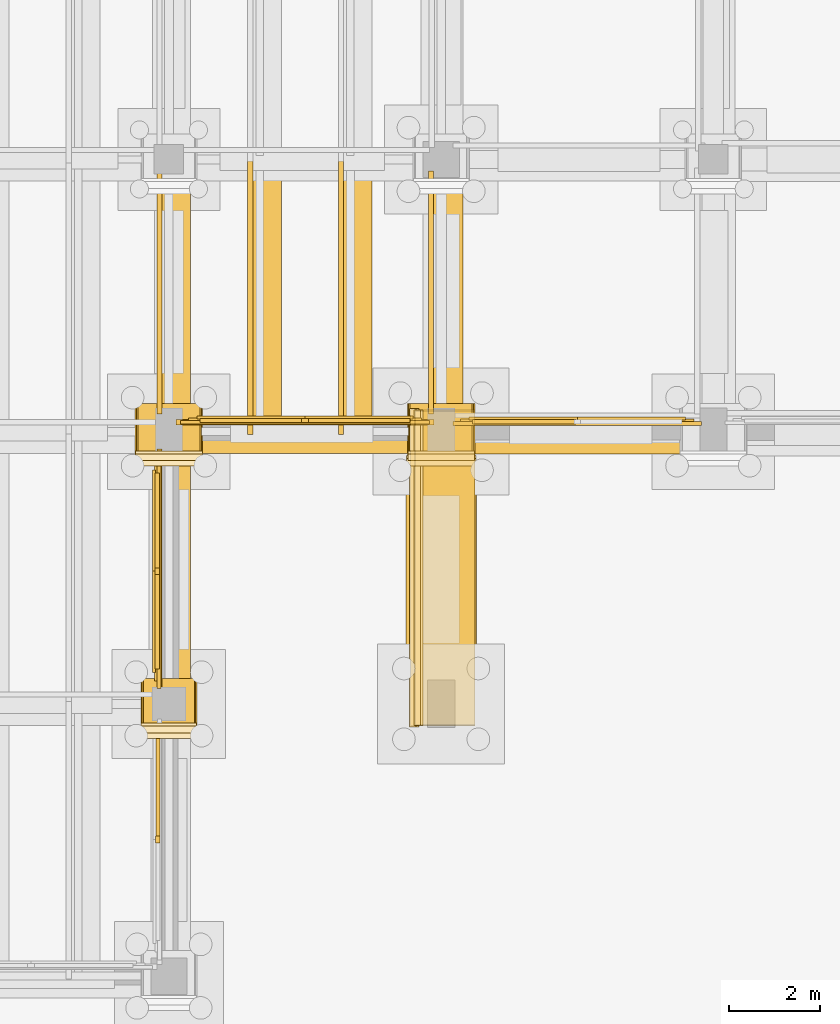
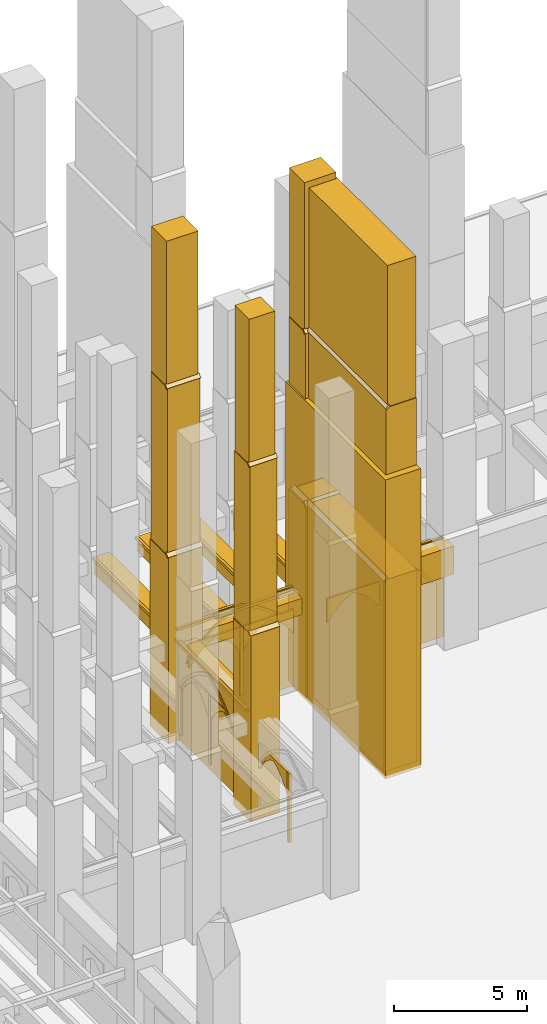
# One storey, part 111 of 135: 52 coverings.
"""IFC4 building model written with IfcOpenShell, lengths in metres."""

from ifc_helpers import new_model, si_unit, direction, frame, origin, origin_2d, place, context, subcontext, project, spatial, polyline, rectangle, outline, extrude, material, type_object, element, save


model = new_model("IFC4")

# Units and contexts
model_context = context("Model", 3, precision=1e-05, world=origin(), true_north=direction((0.0, 1.0)))
body_context = subcontext(model_context, "Body", "Model", "MODEL_VIEW")
ifc_project = project(units=[si_unit("LENGTHUNIT", "METRE"), si_unit("AREAUNIT", "SQUARE_METRE"), si_unit("VOLUMEUNIT", "CUBIC_METRE"), si_unit("PLANEANGLEUNIT", "RADIAN"), si_unit("MASSUNIT", "GRAM", prefix="KILO")], contexts=[model_context])

# Site, building, storey
site_placement = place(None, origin())
site = spatial("IfcSite", under=ifc_project, at=site_placement, CompositionType="ELEMENT")
building_placement = place(site_placement, origin())
building = spatial("IfcBuilding", under=site, at=building_placement, Name="Cumevento Cable Car Station", CompositionType="ELEMENT")
storey_placement = place(building_placement, origin())
storey = spatial("IfcBuildingStorey", under=building, at=storey_placement, Name="L01", CompositionType="ELEMENT", Elevation=0.0)

# Coverings
ifc_material = material(Name="Gnaisse Facoidal Stone Ashlar 85 MPa", Category="masonry")
covering_type = type_object("IfcCoveringType", Name="Gnaisse Ashlar Cladding CV-CL01", PredefinedType="CLADDING", material=ifc_material)
covering_1_placement = place(storey_placement, frame((82.0, 38.909912109375, -0.06005859375), z_axis=(0.0, 0.0, 1.0), x_axis=(1.0, 0.0, 0.0)))
element("IfcCovering", 1, at=covering_1_placement, inside=storey, type_object=covering_type, Name="Stepped Gothic Stone Buttress Tier 1 bt:82.0:39.0", PredefinedType="CLADDING", context=body_context, shape_type="SweptSolid", body=[
    extrude(rectangle(XDim=1.239990234375, YDim=1.300048828125, at=origin_2d()), origin(), (0.0, 0.0, 1.0), 8.595703125),
])
covering_2_placement = place(storey_placement, frame((81.360107421875, 38.239990234375, 8.515625), z_axis=(0.0, -0.711135781079, 0.703054692658), x_axis=(1.0, 0.0, 0.0)))
element("IfcCovering", 2, at=covering_2_placement, inside=storey, type_object=covering_type, Name="Gothic Buttress Sloped Stone Weathering 1 bt:82.0:39.0", PredefinedType="CLADDING", context=body_context, shape_type="SweptSolid", body=[
    extrude(outline(polyline([(0.0, 0.0), (1.27978515625, 0.0), (1.27978515625, 0.24169083397703695), (0.0, 0.24169083397703695), (0.0, 0.0)])), origin(), (0.0, 0.0, -1.0), 0.090087890625),
])
covering_3_placement = place(storey_placement, frame((82.0, 38.969970703125, 8.0830078125), z_axis=(0.0, 0.0, 1.0), x_axis=(1.0, 0.0, 0.0)))
element("IfcCovering", 3, at=covering_3_placement, inside=storey, type_object=covering_type, Name="Stepped Gothic Stone Buttress Tier 2 bt:82.0:39.0", PredefinedType="CLADDING", context=body_context, shape_type="SweptSolid", body=[
    extrude(rectangle(XDim=1.179931640625, YDim=1.179931640625, at=origin_2d()), origin(), (0.0, 0.0, 1.0), 8.143310546875),
])
covering_4_placement = place(storey_placement, frame((81.389892578125, 38.360107421875, 16.206298828125), z_axis=(0.0, -0.714474823669, 0.699661151089), x_axis=(1.0, 0.0, 0.0)))
element("IfcCovering", 4, at=covering_4_placement, inside=storey, type_object=covering_type, Name="Gothic Buttress Sloped Stone Weathering 2 bt:82.0:39.0", PredefinedType="CLADDING", context=body_context, shape_type="SweptSolid", body=[
    extrude(outline(polyline([(0.0, 0.0), (1.22021484375, 0.0), (1.22021484375, 0.21424991728737655), (0.0, 0.21424991728737655), (0.0, 0.0)])), origin(), (0.0, 0.0, -1.0), 0.090087890625),
])
covering_5_placement = place(storey_placement, frame((82.0, 39.02001953125, 15.77392578125), z_axis=(0.0, 0.0, 1.0), x_axis=(1.0, 0.0, 0.0)))
element("IfcCovering", 5, at=covering_5_placement, inside=storey, type_object=covering_type, Name="Stepped Gothic Stone Buttress Tier 3 bt:82.0:39.0", PredefinedType="CLADDING", context=body_context, shape_type="SweptSolid", body=[
    extrude(rectangle(XDim=1.1201171875, YDim=1.080078125, at=origin_2d()), origin(), (0.0, 0.0, 1.0), 7.1259765625),
])
covering_6_placement = place(storey_placement, frame((82.0, 44.9423828125, -0.06005859375), z_axis=(0.0, 0.0, 1.0), x_axis=(1.0, 0.0, 0.0)))
element("IfcCovering", 6, at=covering_6_placement, inside=storey, type_object=covering_type, Name="Stepped Gothic Stone Buttress Tier 1 bt:82.0:45.0", PredefinedType="CLADDING", context=body_context, shape_type="SweptSolid", body=[
    extrude(rectangle(XDim=1.489990234375, YDim=1.364990234375, at=origin_2d()), origin(), (0.0, 0.0, 1.0), 8.595703125),
])
covering_7_placement = place(storey_placement, frame((81.235107421875, 44.239990234375, 8.515625), z_axis=(0.0, -0.711135781079, 0.703054692658), x_axis=(1.0, 0.0, 0.0)))
element("IfcCovering", 7, at=covering_7_placement, inside=storey, type_object=covering_type, Name="Gothic Buttress Sloped Stone Weathering 1 bt:82.0:45.0", PredefinedType="CLADDING", context=body_context, shape_type="SweptSolid", body=[
    extrude(outline(polyline([(0.0, 0.0), (1.52978515625, 0.0), (1.52978515625, 0.24169083397703695), (0.0, 0.24169083397703695), (0.0, 0.0)])), origin(), (0.0, 0.0, -1.0), 0.090087890625),
])
covering_8_placement = place(storey_placement, frame((82.0, 45.00244140625, 8.0830078125), z_axis=(0.0, 0.0, 1.0), x_axis=(1.0, 0.0, 0.0)))
element("IfcCovering", 8, at=covering_8_placement, inside=storey, type_object=covering_type, Name="Stepped Gothic Stone Buttress Tier 2 bt:82.0:45.0", PredefinedType="CLADDING", context=body_context, shape_type="SweptSolid", body=[
    extrude(rectangle(XDim=1.429931640625, YDim=1.2451171875, at=origin_2d()), origin(), (0.0, 0.0, 1.0), 8.143310546875),
])
covering_9_placement = place(storey_placement, frame((81.264892578125, 44.360107421875, 16.206298828125), z_axis=(0.0, -0.714474823669, 0.699661151089), x_axis=(1.0, 0.0, 0.0)))
element("IfcCovering", 9, at=covering_9_placement, inside=storey, type_object=covering_type, Name="Gothic Buttress Sloped Stone Weathering 2 bt:82.0:45.0", PredefinedType="CLADDING", context=body_context, shape_type="SweptSolid", body=[
    extrude(outline(polyline([(0.0, 0.0), (1.47021484375, 0.0), (1.47021484375, 0.21424991728737658), (0.0, 0.21424991728737658), (0.0, 0.0)])), origin(), (0.0, 0.0, -1.0), 0.090087890625),
])
covering_10_placement = place(storey_placement, frame((82.0, 45.052490234375, 15.77392578125), z_axis=(0.0, 0.0, 1.0), x_axis=(1.0, 0.0, 0.0)))
element("IfcCovering", 10, at=covering_10_placement, inside=storey, type_object=covering_type, Name="Stepped Gothic Stone Buttress Tier 3 bt:82.0:45.0", PredefinedType="CLADDING", context=body_context, shape_type="SweptSolid", body=[
    extrude(rectangle(XDim=1.3701171875, YDim=1.14501953125, at=origin_2d()), origin(), (0.0, 0.0, 1.0), 7.1259765625),
])
covering_11_placement = place(storey_placement, frame((88.0, 44.9423828125, -0.06005859375), z_axis=(0.0, 0.0, 1.0), x_axis=(1.0, 0.0, 0.0)))
element("IfcCovering", 11, at=covering_11_placement, inside=storey, type_object=covering_type, Name="Stepped Gothic Stone Buttress Tier 1 bt:88.0:45.0", PredefinedType="CLADDING", context=body_context, shape_type="SweptSolid", body=[
    extrude(rectangle(XDim=1.489990234375, YDim=1.364990234375, at=origin_2d()), origin(), (0.0, 0.0, 1.0), 8.823486328125),
])
covering_12_placement = place(storey_placement, frame((87.235107421875, 44.239990234375, 8.74365234375), z_axis=(0.0, -0.711135781079, 0.703054692658), x_axis=(1.0, 0.0, 0.0)))
element("IfcCovering", 12, at=covering_12_placement, inside=storey, type_object=covering_type, Name="Gothic Buttress Sloped Stone Weathering 1 bt:88.0:45.0", PredefinedType="CLADDING", context=body_context, shape_type="SweptSolid", body=[
    extrude(outline(polyline([(0.0, 0.0), (1.52978515625, 0.0), (1.52978515625, 0.24169083397703695), (0.0, 0.24169083397703695), (0.0, 0.0)])), origin(), (0.0, 0.0, -1.0), 0.090087890625),
])
covering_13_placement = place(storey_placement, frame((88.0, 45.00244140625, 8.29931640625), z_axis=(0.0, 0.0, 1.0), x_axis=(1.0, 0.0, 0.0)))
element("IfcCovering", 13, at=covering_13_placement, inside=storey, type_object=covering_type, Name="Stepped Gothic Stone Buttress Tier 2 bt:88.0:45.0", PredefinedType="CLADDING", context=body_context, shape_type="SweptSolid", body=[
    extrude(rectangle(XDim=1.429931640625, YDim=1.2451171875, at=origin_2d()), origin(), (0.0, 0.0, 1.0), 8.359130859375),
])
covering_14_placement = place(storey_placement, frame((87.264892578125, 44.360107421875, 16.638427734375), z_axis=(0.0, -0.714474823669, 0.699661151089), x_axis=(1.0, 0.0, 0.0)))
element("IfcCovering", 14, at=covering_14_placement, inside=storey, type_object=covering_type, Name="Gothic Buttress Sloped Stone Weathering 2 bt:88.0:45.0", PredefinedType="CLADDING", context=body_context, shape_type="SweptSolid", body=[
    extrude(outline(polyline([(0.0, 0.0), (1.47021484375, 0.0), (1.47021484375, 0.21424991728737658), (0.0, 0.21424991728737658), (0.0, 0.0)])), origin(), (0.0, 0.0, -1.0), 0.090087890625),
])
covering_15_placement = place(storey_placement, frame((88.0, 45.052490234375, 16.19384765625), z_axis=(0.0, 0.0, 1.0), x_axis=(1.0, 0.0, 0.0)))
element("IfcCovering", 15, at=covering_15_placement, inside=storey, type_object=covering_type, Name="Stepped Gothic Stone Buttress Tier 3 bt:88.0:45.0", PredefinedType="CLADDING", context=body_context, shape_type="SweptSolid", body=[
    extrude(rectangle(XDim=1.3701171875, YDim=1.14501953125, at=origin_2d()), origin(), (0.0, 0.0, 1.0), 7.305908203125),
])
covering_16_placement = place(storey_placement, frame((82.14990234375, 41.925048828125, 3.64306640625), z_axis=(0.0, 0.0, 1.0), x_axis=(0.0, 1.0, 0.0)))
element("IfcCovering", 16, at=covering_16_placement, inside=storey, type_object=covering_type, Name="Gothic Stone Spandrel Stringcourse sc:0053", PredefinedType="CLADDING", context=body_context, shape_type="SweptSolid", body=[
    extrude(rectangle(XDim=5.340087890625, YDim=0.659912109375, at=origin_2d()), origin(), (0.0, 0.0, 1.0), 0.7470703125),
])
covering_17_placement = place(storey_placement, frame((81.79248046875, 41.925048828125, 4.260009765625), z_axis=(0.0, 0.0, 1.0), x_axis=(0.0, 1.0, 0.0)))
element("IfcCovering", 17, at=covering_17_placement, inside=storey, type_object=covering_type, Name="Gothic Cornice Dripstone Lip sc:0053", PredefinedType="CLADDING", context=body_context, shape_type="SweptSolid", body=[
    extrude(rectangle(XDim=5.3798828125, YDim=0.114990234375, at=origin_2d()), origin(), (0.0, 0.0, 1.0), 0.1298828125),
])
covering_18_placement = place(storey_placement, frame((85.0, 44.85009765625, 3.64306640625), z_axis=(0.0, 0.0, 1.0), x_axis=(1.0, 0.0, 0.0)))
element("IfcCovering", 18, at=covering_18_placement, inside=storey, type_object=covering_type, Name="Gothic Stone Spandrel Stringcourse sc:0118", PredefinedType="CLADDING", context=body_context, shape_type="SweptSolid", body=[
    extrude(rectangle(XDim=5.639892578125, YDim=0.659912109375, at=origin_2d()), origin(), (0.0, 0.0, 1.0), 0.7470703125),
])
covering_19_placement = place(storey_placement, frame((85.0, 45.20751953125, 4.260009765625), z_axis=(0.0, 0.0, 1.0), x_axis=(1.0, 0.0, 0.0)))
element("IfcCovering", 19, at=covering_19_placement, inside=storey, type_object=covering_type, Name="Gothic Cornice Dripstone Lip sc:0118", PredefinedType="CLADDING", context=body_context, shape_type="SweptSolid", body=[
    extrude(rectangle(XDim=5.679931640625, YDim=0.114990234375, at=origin_2d()), origin(), (0.0, 0.0, 1.0), 0.1298828125),
])
covering_20_placement = place(storey_placement, frame((82.14990234375, 48.10009765625, 3.5927734375), z_axis=(0.0, 0.0, 1.0), x_axis=(0.0, 1.0, 0.0)))
element("IfcCovering", 20, at=covering_20_placement, inside=storey, type_object=covering_type, Name="Gothic Stone Spandrel Stringcourse sc:0131", PredefinedType="CLADDING", context=body_context, shape_type="SweptSolid", body=[
    extrude(rectangle(XDim=5.389892578125, YDim=0.659912109375, at=origin_2d()), origin(), (0.0, 0.0, 1.0), 0.797119140625),
])
covering_21_placement = place(storey_placement, frame((81.79248046875, 48.10009765625, 4.260009765625), z_axis=(0.0, 0.0, 1.0), x_axis=(0.0, 1.0, 0.0)))
element("IfcCovering", 21, at=covering_21_placement, inside=storey, type_object=covering_type, Name="Gothic Cornice Dripstone Lip sc:0131", PredefinedType="CLADDING", context=body_context, shape_type="SweptSolid", body=[
    extrude(rectangle(XDim=5.429931640625, YDim=0.114990234375, at=origin_2d()), origin(), (0.0, 0.0, 1.0), 0.1298828125),
])
covering_22_placement = place(storey_placement, frame((88.14306640625, 48.0625, 3.5419921875), z_axis=(0.0, 0.0, 1.0), x_axis=(0.0, 1.0, 0.0)))
element("IfcCovering", 22, at=covering_22_placement, inside=storey, type_object=covering_type, Name="Gothic Stone Spandrel Stringcourse sc:0133", PredefinedType="CLADDING", context=body_context, shape_type="SweptSolid", body=[
    extrude(rectangle(XDim=5.31494140625, YDim=0.674072265625, at=origin_2d()), origin(), (0.0, 0.0, 1.0), 0.947998046875),
])
covering_23_placement = place(storey_placement, frame((87.778564453125, 48.0625, 4.360107421875), z_axis=(0.0, 0.0, 1.0), x_axis=(0.0, 1.0, 0.0)))
element("IfcCovering", 23, at=covering_23_placement, inside=storey, type_object=covering_type, Name="Gothic Cornice Dripstone Lip sc:0133", PredefinedType="CLADDING", context=body_context, shape_type="SweptSolid", body=[
    extrude(rectangle(XDim=5.35498046875, YDim=0.114990234375, at=origin_2d()), origin(), (0.0, 0.0, 1.0), 0.1298828125),
])
covering_24_placement = place(storey_placement, frame((91.0, 44.919921875, 3.199951171875), z_axis=(0.0, 0.0, 1.0), x_axis=(1.0, 0.0, 0.0)))
element("IfcCovering", 24, at=covering_24_placement, inside=storey, type_object=covering_type, Name="Gothic Stone Spandrel Stringcourse sc:0135", PredefinedType="CLADDING", context=body_context, shape_type="SweptSolid", body=[
    extrude(rectangle(XDim=5.639892578125, YDim=0.820068359375, at=origin_2d()), origin(), (0.0, 0.0, 1.0), 1.2900390625),
])
covering_25_placement = place(storey_placement, frame((84.14990234375, 47.99365234375, 3.794921875), z_axis=(0.0, 0.0, 1.0), x_axis=(0.0, 1.0, 0.0)))
element("IfcCovering", 25, at=covering_25_placement, inside=storey, type_object=covering_type, Name="Gothic Stone Spandrel Stringcourse sc:0270", PredefinedType="CLADDING", context=body_context, shape_type="SweptSolid", body=[
    extrude(rectangle(XDim=6.073486328125, YDim=0.659912109375, at=origin_2d()), origin(), (0.0, 0.0, 1.0), 0.695068359375),
])
covering_26_placement = place(storey_placement, frame((83.79248046875, 47.99365234375, 4.360107421875), z_axis=(0.0, 0.0, 1.0), x_axis=(0.0, 1.0, 0.0)))
element("IfcCovering", 26, at=covering_26_placement, inside=storey, type_object=covering_type, Name="Gothic Cornice Dripstone Lip sc:0270", PredefinedType="CLADDING", context=body_context, shape_type="SweptSolid", body=[
    extrude(rectangle(XDim=6.113525390625, YDim=0.114990234375, at=origin_2d()), origin(), (0.0, 0.0, 1.0), 0.1298828125),
])
covering_27_placement = place(storey_placement, frame((86.14990234375, 47.99365234375, 3.794921875), z_axis=(0.0, 0.0, 1.0), x_axis=(0.0, 1.0, 0.0)))
element("IfcCovering", 27, at=covering_27_placement, inside=storey, type_object=covering_type, Name="Gothic Stone Spandrel Stringcourse sc:0272", PredefinedType="CLADDING", context=body_context, shape_type="SweptSolid", body=[
    extrude(rectangle(XDim=6.073486328125, YDim=0.659912109375, at=origin_2d()), origin(), (0.0, 0.0, 1.0), 0.695068359375),
])
covering_28_placement = place(storey_placement, frame((85.79248046875, 47.99365234375, 4.360107421875), z_axis=(0.0, 0.0, 1.0), x_axis=(0.0, 1.0, 0.0)))
element("IfcCovering", 28, at=covering_28_placement, inside=storey, type_object=covering_type, Name="Gothic Cornice Dripstone Lip sc:0272", PredefinedType="CLADDING", context=body_context, shape_type="SweptSolid", body=[
    extrude(rectangle(XDim=6.113525390625, YDim=0.114990234375, at=origin_2d()), origin(), (0.0, 0.0, 1.0), 0.1298828125),
])
covering_29_placement = place(storey_placement, frame((88.0, 42.0, -0.125), z_axis=(0.0, 0.0, 1.0), x_axis=(1.0, 0.0, 0.0)))
element("IfcCovering", 29, at=covering_29_placement, inside=storey, type_object=covering_type, Name="Cabin Portal Flanking Stone Tower Base #2", PredefinedType="CLADDING", context=body_context, shape_type="SweptSolid", body=[
    extrude(rectangle(XDim=1.550048828125, YDim=7.5, at=origin_2d()), origin(), (0.0, 0.0, 1.0), 13.75),
])
covering_30_placement = place(storey_placement, frame((88.034912109375, 42.0, 0.0), z_axis=(0.0, 0.0, 1.0), x_axis=(0.0, -1.0, 0.0)))
element("IfcCovering", 30, at=covering_30_placement, inside=storey, type_object=covering_type, Name="Stepped Gothic Stone Buttress Tier 1 ptl_butt_s:2:88", PredefinedType="CLADDING", context=body_context, shape_type="SweptSolid", body=[
    extrude(rectangle(XDim=6.97998046875, YDim=1.429931640625, at=origin_2d()), origin(), (0.0, 0.0, 1.0), 8.81591796875),
])
covering_31_placement = place(storey_placement, frame((87.300048828125, 45.510009765625, 8.7958984375), z_axis=(-0.714474823669, 0.0, 0.699661151089), x_axis=(0.0, -1.0, 0.0)))
element("IfcCovering", 31, at=covering_31_placement, inside=storey, type_object=covering_type, Name="Gothic Buttress Sloped Stone Weathering 1 ptl_butt_s:2:88", PredefinedType="CLADDING", context=body_context, shape_type="SweptSolid", body=[
    extrude(outline(polyline([(0.0, 0.0), (7.02001953125, 0.0), (7.02001953125, 0.21424991728737655), (0.0, 0.21424991728737655), (0.0, 0.0)])), origin(), (0.0, 0.0, -1.0), 0.090087890625),
])
covering_32_placement = place(storey_placement, frame((88.0849609375, 42.0, 8.35205078125), z_axis=(0.0, 0.0, 1.0), x_axis=(0.0, -1.0, 0.0)))
element("IfcCovering", 32, at=covering_32_placement, inside=storey, type_object=covering_type, Name="Stepped Gothic Stone Buttress Tier 2 ptl_butt_s:2:88", PredefinedType="CLADDING", context=body_context, shape_type="SweptSolid", body=[
    extrude(rectangle(XDim=6.919921875, YDim=1.330078125, at=origin_2d()), origin(), (0.0, 0.0, 1.0), 8.35205078125),
])
covering_33_placement = place(storey_placement, frame((87.39990234375, 45.47998046875, 16.68408203125), z_axis=(-0.714979608129, 0.0, 0.699145306757), x_axis=(0.0, -1.0, 0.0)))
element("IfcCovering", 33, at=covering_33_placement, inside=storey, type_object=covering_type, Name="Gothic Buttress Sloped Stone Weathering 2 ptl_butt_s:2:88", PredefinedType="CLADDING", context=body_context, shape_type="SweptSolid", body=[
    extrude(outline(polyline([(0.0, 0.0), (6.9599609375, 0.0), (6.9599609375, 0.20044004786376446), (0.0, 0.20044004786376446), (0.0, 0.0)])), origin(), (0.0, 0.0, -1.0), 0.090087890625),
])
covering_34_placement = place(storey_placement, frame((88.1298828125, 42.0, 16.239990234375), z_axis=(0.0, 0.0, 1.0), x_axis=(0.0, -1.0, 0.0)))
element("IfcCovering", 34, at=covering_34_placement, inside=storey, type_object=covering_type, Name="Stepped Gothic Stone Buttress Tier 3 ptl_butt_s:2:88", PredefinedType="CLADDING", context=body_context, shape_type="SweptSolid", body=[
    extrude(rectangle(XDim=6.860107421875, YDim=1.239990234375, at=origin_2d()), origin(), (0.0, 0.0, 1.0), 6.9599609375),
])
covering_35_placement = place(storey_placement, frame((82.0, 33.580078125, 0.300048828125), z_axis=(0.0, 0.0, 1.0), x_axis=(0.0, 1.0, 0.0)))
element("IfcCovering", 35, at=covering_35_placement, inside=storey, type_object=covering_type, Name="Gothic Bifora Stone Colonnette blind_ogival:0003 #1", PredefinedType="CLADDING", context=body_context, shape_type="SweptSolid", body=[
    extrude(outline(polyline([(2.357421875, -0.02001953125), (2.507568359375, -0.02001953125), (2.507568359375, 3.156005859375), (2.357421875, 3.156005859375), (2.357421875, -0.02001953125)])), frame((0.0, 0.29296875, 0.0), z_axis=(0.0, -1.0, 0.0), x_axis=(1.0, 0.0, 0.0)), (0.0, 0.0, 1.0), 0.094970703125),
])
covering_36_placement = place(storey_placement, frame((82.0, 36.0576171875, 2.340087890625), z_axis=(0.0, 0.0, 1.0), x_axis=(0.0, 1.0, 0.0)))
element("IfcCovering", 36, at=covering_36_placement, inside=storey, type_object=covering_type, Name="Gothic Ogival Pointed-Arch Stone Spandrel blind_ogival:0003:sub:1", PredefinedType="CLADDING", context=body_context, shape_type="SweptSolid", body=[
    extrude(outline(polyline([(-0.02001953125, 0.0), (-0.02001953125, 1.115966796875), (2.177490234375, 1.115966796875), (2.177490234375, 0.0), (2.117431640625, 0.0), (1.997314453125, 0.213134765625), (1.85302734375, 0.410888671875), (1.6865234375, 0.59033203125), (1.500244140625, 0.7490234375), (1.296875, 0.884765625), (1.078857421875, 0.99609375), (0.860595703125, 0.884765625), (0.6572265625, 0.7490234375), (0.470947265625, 0.59033203125), (0.304443359375, 0.410888671875), (0.16015625, 0.213134765625), (0.0400390625, 0.0), (-0.02001953125, 0.0)])), frame((0.0, 0.2890625, 0.0), z_axis=(0.0, -1.0, 0.0), x_axis=(1.0, 0.0, 0.0)), (0.0, 0.0, 1.0), 0.090087890625),
])
covering_37_placement = place(storey_placement, frame((82.0, 39.375, 0.0), z_axis=(0.0, 0.0, 1.0), x_axis=(0.0, 1.0, 0.0)))
element("IfcCovering", 37, at=covering_37_placement, inside=storey, type_object=covering_type, Name="Exterior Gnaisse Stone Wall Ashlar #4", PredefinedType="CLADDING", context=body_context, shape_type="SweptSolid", body=[
    extrude(outline(polyline([(-0.0400390625, -0.02001953125), (5.139892578125, -0.02001953125), (5.139892578125, 4.52001953125), (-0.0400390625, 4.52001953125), (-0.0400390625, -0.02001953125)])), frame((0.0, 0.262451171875, 0.0), z_axis=(0.0, -1.0, 0.0), x_axis=(1.0, 0.0, 0.0)), (0.0, 0.0, 1.0), 0.0849609375),
])
placement_1 = place(storey_placement, frame((82.0, 39.554931640625, 0.300048828125), z_axis=(0.0, 0.0, 1.0), x_axis=(0.0, 1.0, 0.0)))
element("IfcCovering", 38, at=placement_1, inside=storey, type_object=covering_type, Name="Gothic Ogival Pointed-Arch Stone Spandrel blind_ogival:0004", PredefinedType="CLADDING", context=body_context, shape_type="SweptSolid", body=[
    extrude(outline(polyline([(-0.050048828125, 0.0), (-0.050048828125, 4.239990234375), (4.7900390625, 4.239990234375), (4.7900390625, 0.0), (4.47998046875, 0.0), (4.47998046875, 2.219970703125), (4.257080078125, 2.555908203125), (4.00390625, 2.86962890625), (3.722900390625, 3.158447265625), (3.416015625, 3.420166015625), (3.08642578125, 3.652099609375), (2.73681640625, 3.852783203125), (2.3701171875, 4.02001953125), (2.003173828125, 3.852783203125), (1.653564453125, 3.652099609375), (1.323974609375, 3.420166015625), (1.01708984375, 3.158447265625), (0.736083984375, 2.86962890625), (0.48291015625, 2.555908203125), (0.260009765625, 2.219970703125), (0.260009765625, 0.0), (-0.050048828125, 0.0)])), frame((0.0, 0.3173828125, 0.0), z_axis=(0.0, -1.0, 0.0), x_axis=(1.0, 0.0, 0.0)), (0.0, 0.0, 1.0), 0.110107421875),
])
covering_39_placement = place(storey_placement, frame((82.0, 39.554931640625, 2.52001953125), z_axis=(0.0, 0.0, 1.0), x_axis=(0.0, 1.0, 0.0)))
element("IfcCovering", 39, at=covering_39_placement, inside=storey, type_object=covering_type, Name="Gothic Pointed Archivolt Hood Moulding blind_ogival:0004", PredefinedType="CLADDING", context=body_context, shape_type="SweptSolid", body=[
    extrude(outline(polyline([(0.260009765625, 0.0), (0.48291015625, 0.3359375), (0.736083984375, 0.649658203125), (1.01708984375, 0.9384765625), (1.323974609375, 1.2001953125), (1.653564453125, 1.43212890625), (2.003173828125, 1.6328125), (2.3701171875, 1.800048828125), (2.73681640625, 1.6328125), (3.08642578125, 1.43212890625), (3.416015625, 1.2001953125), (3.722900390625, 0.9384765625), (4.00390625, 0.649658203125), (4.257080078125, 0.3359375), (4.47998046875, 0.0), (4.60107421875, 0.0), (4.368896484375, 0.36328125), (4.103271484375, 0.702880859375), (3.80712890625, 1.015869140625), (3.482666015625, 1.2998046875), (3.1328125, 1.5517578125), (2.7607421875, 1.76953125), (2.3701171875, 1.951171875), (1.979248046875, 1.76953125), (1.607177734375, 1.5517578125), (1.25732421875, 1.2998046875), (0.932861328125, 1.015869140625), (0.63671875, 0.702880859375), (0.37109375, 0.36328125), (0.138916015625, 0.0), (0.260009765625, 0.0)])), frame((0.0, 0.359619140625, 0.0), z_axis=(0.0, -1.0, 0.0), x_axis=(1.0, 0.0, 0.0)), (0.0, 0.0, 1.0), 0.06689453125),
])
element("IfcCovering", 40, at=placement_1, inside=storey, type_object=covering_type, Name="Gothic Bifora Stone Colonnette blind_ogival:0004 #1", PredefinedType="CLADDING", context=body_context, shape_type="SweptSolid", body=[
    extrude(outline(polyline([(2.294921875, -0.02001953125), (2.445068359375, -0.02001953125), (2.445068359375, 3.156005859375), (2.294921875, 3.156005859375), (2.294921875, -0.02001953125)])), frame((0.0, 0.305419921875, 0.0), z_axis=(0.0, -1.0, 0.0), x_axis=(1.0, 0.0, 0.0)), (0.0, 0.0, 1.0), 0.094970703125),
])
for number, where, z_axis, x_axis, name in (
    (41, (82.0, 39.784912109375, 2.340087890625), (0.0, 0.0, 1.0), (0.0, 1.0, 0.0), "Gothic Ogival Pointed-Arch Stone Spandrel blind_ogival:0004:sub:0"),
    (42, (82.0, 41.969970703125, 2.340087890625), (0.0, 0.0, 1.0), (0.0, 1.0, 0.0), "Gothic Ogival Pointed-Arch Stone Spandrel blind_ogival:0004:sub:1"),
):
    element("IfcCovering", number, at=place(storey_placement, frame(where, z_axis=z_axis, x_axis=x_axis)), inside=storey, type_object=covering_type, Name=name, PredefinedType="CLADDING", context=body_context, shape_type="SweptSolid", body=[
        extrude(outline(polyline([(-0.02001953125, 0.0), (-0.02001953125, 1.115966796875), (2.114990234375, 1.115966796875), (2.114990234375, 0.0), (2.054931640625, 0.0), (1.94091796875, 0.21240234375), (1.802490234375, 0.409912109375), (1.6416015625, 0.58935546875), (1.460205078125, 0.748291015625), (1.26123046875, 0.884521484375), (1.047607421875, 0.99609375), (0.833740234375, 0.884521484375), (0.634765625, 0.748291015625), (0.453369140625, 0.58935546875), (0.29248046875, 0.409912109375), (0.154052734375, 0.21240234375), (0.0400390625, 0.0), (-0.02001953125, 0.0)])), frame((0.0, 0.301513671875, 0.0), z_axis=(0.0, -1.0, 0.0), x_axis=(1.0, 0.0, 0.0)), (0.0, 0.0, 1.0), 0.090087890625),
    ])
covering_41_placement = place(storey_placement, frame((82.300048828125, 45.0, 0.0), z_axis=(0.0, 0.0, 1.0), x_axis=(1.0, 0.0, 0.0)))
element("IfcCovering", 43, at=covering_41_placement, inside=storey, type_object=covering_type, Name="Exterior Gnaisse Stone Wall Ashlar #33", PredefinedType="CLADDING", context=body_context, shape_type="SweptSolid", body=[
    extrude(outline(polyline([(-0.0400390625, -0.02001953125), (5.43994140625, -0.02001953125), (5.43994140625, 4.52001953125), (-0.0400390625, 4.52001953125), (-0.0400390625, -0.02001953125)])), frame((0.0, 0.25, 0.0), z_axis=(0.0, -1.0, 0.0), x_axis=(1.0, 0.0, 0.0)), (0.0, 0.0, 1.0), 0.0849609375),
])
placement_2 = place(storey_placement, frame((82.47998046875, 45.0, 0.300048828125), z_axis=(0.0, 0.0, 1.0), x_axis=(1.0, 0.0, 0.0)))
element("IfcCovering", 44, at=placement_2, inside=storey, type_object=covering_type, Name="Gothic Ogival Pointed-Arch Stone Spandrel blind_ogival:0033", PredefinedType="CLADDING", context=body_context, shape_type="SweptSolid", body=[
    extrude(outline(polyline([(-0.050048828125, 0.0), (-0.050048828125, 4.239990234375), (5.090087890625, 4.239990234375), (5.090087890625, 0.0), (4.780029296875, 0.0), (4.780029296875, 2.219970703125), (4.531982421875, 2.55810546875), (4.255126953125, 2.872802734375), (3.951416015625, 3.161865234375), (3.62353515625, 3.423095703125), (3.273681640625, 3.654296875), (2.905029296875, 3.853759765625), (2.52001953125, 4.02001953125), (2.135009765625, 3.853759765625), (1.766357421875, 3.654296875), (1.41650390625, 3.423095703125), (1.088623046875, 3.161865234375), (0.784912109375, 2.872802734375), (0.508056640625, 2.55810546875), (0.260009765625, 2.219970703125), (0.260009765625, 0.0), (-0.050048828125, 0.0)])), frame((0.0, 0.304931640625, 0.0), z_axis=(0.0, -1.0, 0.0), x_axis=(1.0, 0.0, 0.0)), (0.0, 0.0, 1.0), 0.110107421875),
])
covering_43_placement = place(storey_placement, frame((82.47998046875, 45.0, 2.52001953125), z_axis=(0.0, 0.0, 1.0), x_axis=(1.0, 0.0, 0.0)))
element("IfcCovering", 45, at=covering_43_placement, inside=storey, type_object=covering_type, Name="Gothic Pointed Archivolt Hood Moulding blind_ogival:0033", PredefinedType="CLADDING", context=body_context, shape_type="SweptSolid", body=[
    extrude(outline(polyline([(0.260009765625, 0.0), (0.508056640625, 0.338134765625), (0.784912109375, 0.65283203125), (1.088623046875, 0.94189453125), (1.41650390625, 1.203125), (1.766357421875, 1.434326171875), (2.135009765625, 1.6337890625), (2.52001953125, 1.800048828125), (2.905029296875, 1.6337890625), (3.273681640625, 1.434326171875), (3.62353515625, 1.203125), (3.951416015625, 0.94189453125), (4.255126953125, 0.65283203125), (4.531982421875, 0.338134765625), (4.780029296875, 0.0), (4.90087890625, 0.0), (4.6435546875, 0.365478515625), (4.354248046875, 0.706298828125), (4.03564453125, 1.01953125), (3.689697265625, 1.302978515625), (3.31982421875, 1.553955078125), (2.928955078125, 1.770751953125), (2.52001953125, 1.951171875), (2.111083984375, 1.770751953125), (1.72021484375, 1.553955078125), (1.350341796875, 1.302978515625), (1.00439453125, 1.01953125), (0.685791015625, 0.706298828125), (0.396484375, 0.365478515625), (0.138916015625, 0.0), (0.260009765625, 0.0)])), frame((0.0, 0.346923828125, 0.0), z_axis=(0.0, -1.0, 0.0), x_axis=(1.0, 0.0, 0.0)), (0.0, 0.0, 1.0), 0.06689453125),
])
element("IfcCovering", 46, at=placement_2, inside=storey, type_object=covering_type, Name="Gothic Bifora Stone Colonnette blind_ogival:0033 #1", PredefinedType="CLADDING", context=body_context, shape_type="SweptSolid", body=[
    extrude(outline(polyline([(2.445068359375, -0.02001953125), (2.594970703125, -0.02001953125), (2.594970703125, 3.156005859375), (2.445068359375, 3.156005859375), (2.445068359375, -0.02001953125)])), frame((0.0, 0.29296875, 0.0), z_axis=(0.0, -1.0, 0.0), x_axis=(1.0, 0.0, 0.0)), (0.0, 0.0, 1.0), 0.094970703125),
])
for number, where, z_axis, x_axis, name in (
    (47, (82.7099609375, 45.0, 2.340087890625), (0.0, 0.0, 1.0), (1.0, 0.0, 0.0), "Gothic Ogival Pointed-Arch Stone Spandrel blind_ogival:0033:sub:0"),
    (48, (85.044921875, 45.0, 2.340087890625), (0.0, 0.0, 1.0), (1.0, 0.0, 0.0), "Gothic Ogival Pointed-Arch Stone Spandrel blind_ogival:0033:sub:1"),
):
    element("IfcCovering", number, at=place(storey_placement, frame(where, z_axis=z_axis, x_axis=x_axis)), inside=storey, type_object=covering_type, Name=name, PredefinedType="CLADDING", context=body_context, shape_type="SweptSolid", body=[
        extrude(outline(polyline([(-0.02001953125, 0.0), (-0.02001953125, 1.115966796875), (2.264892578125, 1.115966796875), (2.264892578125, 0.0), (2.205078125, 0.0), (2.076171875, 0.214111328125), (1.923828125, 0.412109375), (1.75, 0.591552734375), (1.556640625, 0.75), (1.3466796875, 0.88525390625), (1.12255859375, 0.99609375), (0.8984375, 0.88525390625), (0.6884765625, 0.75), (0.4951171875, 0.591552734375), (0.3212890625, 0.412109375), (0.1689453125, 0.214111328125), (0.0400390625, 0.0), (-0.02001953125, 0.0)])), frame((0.0, 0.2890625, 0.0), z_axis=(0.0, -1.0, 0.0), x_axis=(1.0, 0.0, 0.0)), (0.0, 0.0, 1.0), 0.090087890625),
    ])
covering_45_placement = place(storey_placement, frame((88.300048828125, 45.0, 0.0), z_axis=(0.0, 0.0, 1.0), x_axis=(1.0, 0.0, 0.0)))
element("IfcCovering", 49, at=covering_45_placement, inside=storey, type_object=covering_type, Name="Exterior Gnaisse Stone Wall Ashlar #37", PredefinedType="CLADDING", context=body_context, shape_type="SweptSolid", body=[
    extrude(outline(polyline([(-0.0400390625, -0.02001953125), (5.43994140625, -0.02001953125), (5.43994140625, 4.52001953125), (-0.0400390625, 4.52001953125), (-0.0400390625, -0.02001953125)])), frame((0.0, 0.22509765625, 0.0), z_axis=(0.0, -1.0, 0.0), x_axis=(1.0, 0.0, 0.0)), (0.0, 0.0, 1.0), 0.0849609375),
])
covering_46_placement = place(storey_placement, frame((88.47998046875, 45.0, 0.300048828125), z_axis=(0.0, 0.0, 1.0), x_axis=(1.0, 0.0, 0.0)))
element("IfcCovering", 50, at=covering_46_placement, inside=storey, type_object=covering_type, Name="Gothic Ogival Pointed-Arch Stone Spandrel blind_ogival:0037", PredefinedType="CLADDING", context=body_context, shape_type="SweptSolid", body=[
    extrude(outline(polyline([(-0.050048828125, 0.0), (-0.050048828125, 4.239990234375), (5.090087890625, 4.239990234375), (5.090087890625, 0.0), (4.780029296875, 0.0), (4.780029296875, 2.219970703125), (4.531982421875, 2.55810546875), (4.255126953125, 2.872802734375), (3.951416015625, 3.161865234375), (3.62353515625, 3.423095703125), (3.273681640625, 3.654296875), (2.905029296875, 3.853759765625), (2.52001953125, 4.02001953125), (2.135009765625, 3.853759765625), (1.766357421875, 3.654296875), (1.41650390625, 3.423095703125), (1.088623046875, 3.161865234375), (0.784912109375, 2.872802734375), (0.508056640625, 2.55810546875), (0.260009765625, 2.219970703125), (0.260009765625, 0.0), (-0.050048828125, 0.0)])), frame((0.0, 0.280029296875, 0.0), z_axis=(0.0, -1.0, 0.0), x_axis=(1.0, 0.0, 0.0)), (0.0, 0.0, 1.0), 0.110107421875),
])
covering_47_placement = place(storey_placement, frame((88.47998046875, 45.0, 2.52001953125), z_axis=(0.0, 0.0, 1.0), x_axis=(1.0, 0.0, 0.0)))
element("IfcCovering", 51, at=covering_47_placement, inside=storey, type_object=covering_type, Name="Gothic Pointed Archivolt Hood Moulding blind_ogival:0037", PredefinedType="CLADDING", context=body_context, shape_type="SweptSolid", body=[
    extrude(outline(polyline([(0.260009765625, 0.0), (0.508056640625, 0.338134765625), (0.784912109375, 0.65283203125), (1.088623046875, 0.94189453125), (1.41650390625, 1.203125), (1.766357421875, 1.434326171875), (2.135009765625, 1.6337890625), (2.52001953125, 1.800048828125), (2.905029296875, 1.6337890625), (3.273681640625, 1.434326171875), (3.62353515625, 1.203125), (3.951416015625, 0.94189453125), (4.255126953125, 0.65283203125), (4.531982421875, 0.338134765625), (4.780029296875, 0.0), (4.90087890625, 0.0), (4.6435546875, 0.365478515625), (4.354248046875, 0.706298828125), (4.03564453125, 1.01953125), (3.689697265625, 1.302978515625), (3.31982421875, 1.553955078125), (2.928955078125, 1.770751953125), (2.52001953125, 1.951171875), (2.111083984375, 1.770751953125), (1.72021484375, 1.553955078125), (1.350341796875, 1.302978515625), (1.00439453125, 1.01953125), (0.685791015625, 0.706298828125), (0.396484375, 0.365478515625), (0.138916015625, 0.0), (0.260009765625, 0.0)])), frame((0.0, 0.322021484375, 0.0), z_axis=(0.0, -1.0, 0.0), x_axis=(1.0, 0.0, 0.0)), (0.0, 0.0, 1.0), 0.06689453125),
])
covering_48_placement = place(storey_placement, frame((88.7099609375, 45.0, 2.340087890625), z_axis=(0.0, 0.0, 1.0), x_axis=(1.0, 0.0, 0.0)))
element("IfcCovering", 52, at=covering_48_placement, inside=storey, type_object=covering_type, Name="Gothic Ogival Pointed-Arch Stone Spandrel blind_ogival:0037:sub:0", PredefinedType="CLADDING", context=body_context, shape_type="SweptSolid", body=[
    extrude(outline(polyline([(-0.02001953125, 0.0), (-0.02001953125, 1.115966796875), (2.264892578125, 1.115966796875), (2.264892578125, 0.0), (2.205078125, 0.0), (2.076171875, 0.214111328125), (1.923828125, 0.412109375), (1.75, 0.591552734375), (1.556640625, 0.75), (1.3466796875, 0.88525390625), (1.12255859375, 0.99609375), (0.8984375, 0.88525390625), (0.6884765625, 0.75), (0.4951171875, 0.591552734375), (0.3212890625, 0.412109375), (0.1689453125, 0.214111328125), (0.0400390625, 0.0), (-0.02001953125, 0.0)])), frame((0.0, 0.263916015625, 0.0), z_axis=(0.0, -1.0, 0.0), x_axis=(1.0, 0.0, 0.0)), (0.0, 0.0, 1.0), 0.090087890625),
])

save(model, "model.ifc")
